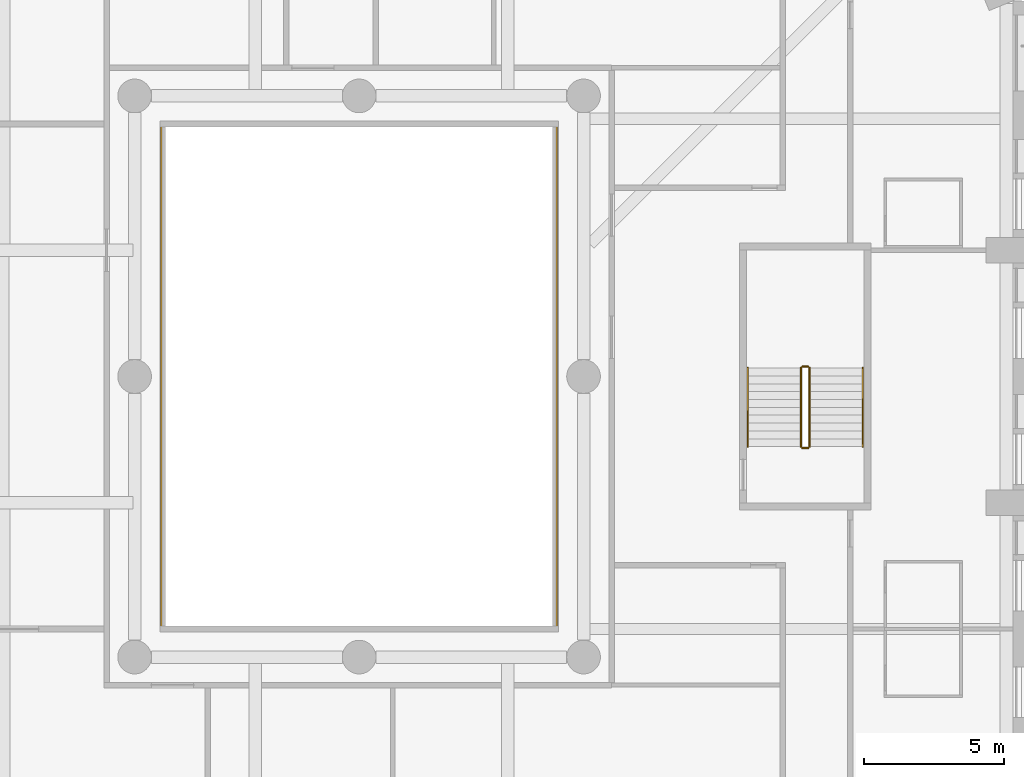
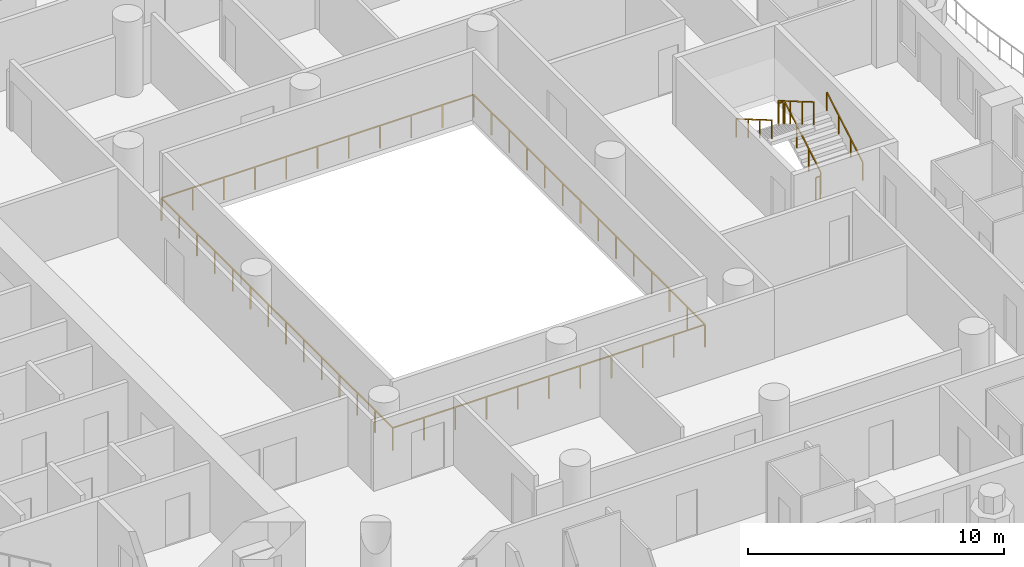
# One storey, part 19 of 24: 7 railings.
"""IFC4 building model written with IfcOpenShell, lengths in metres."""

from ifc_helpers import new_model, si_unit, direction, frame, origin, origin_2d, place, context, subcontext, project, spatial, rectangle, extrude, material, type_object, element, save


model = new_model("IFC4")

# Units and contexts
model_context = context("Model", 3, precision=1e-05, world=origin(), true_north=direction((0.0, 1.0)))
body_context = subcontext(model_context, "Body", "Model", "MODEL_VIEW")
ifc_project = project(units=[si_unit("LENGTHUNIT", "METRE"), si_unit("AREAUNIT", "SQUARE_METRE"), si_unit("VOLUMEUNIT", "CUBIC_METRE"), si_unit("PLANEANGLEUNIT", "RADIAN"), si_unit("MASSUNIT", "GRAM", prefix="KILO")], contexts=[model_context])

# Site, building, storey
site_placement = place(None, origin())
site = spatial("IfcSite", under=ifc_project, at=site_placement, CompositionType="ELEMENT")
building_placement = place(site_placement, origin())
building = spatial("IfcBuilding", under=site, at=building_placement, Name="Cypress Arch Tower", CompositionType="ELEMENT")
storey_placement = place(building_placement, frame((0.0, 0.0, 102.300048828125)))
storey = spatial("IfcBuildingStorey", under=building, at=storey_placement, Name="L20", CompositionType="ELEMENT", Elevation=102.300048828125)

# Railings
ifc_material_1 = material(Name="Stainless steel posts and handrail, laminated glass infill", Category="steel")
railing_type_1 = type_object("IfcRailingType", Name="Atrium guard GR1100A", PredefinedType="GUARDRAIL", material=ifc_material_1)
railing_1_placement = place(storey_placement, frame((8.050048828125, -9.050048828125, 0.0)))
element("IfcRailing", 1, at=railing_1_placement, inside=storey, type_object=railing_type_1, Name="Atrium guard L20", PredefinedType="GUARDRAIL", context=body_context, shape_type="SweptSolid", body=[
    extrude(rectangle(XDim=0.050048828125, YDim=0.050048828125, at=origin_2d()), frame((0.0, 0.0, 1.0751953125), z_axis=(-1.0, 0.0, 0.0), x_axis=(0.0, -1.0, 0.0)), (0.0, 0.0, 1.0), 14.10009765625),
    extrude(rectangle(XDim=0.050048828125, YDim=0.050048828125, at=origin_2d()), frame((-14.10009765625, 0.0, 1.0751953125), z_axis=(0.0, 1.0, 0.0), x_axis=(-1.0, 0.0, 0.0)), (0.0, 0.0, 1.0), 18.10009765625),
    extrude(rectangle(XDim=0.050048828125, YDim=0.050048828125, at=origin_2d()), frame((-14.10009765625, 18.10009765625, 1.0751953125), z_axis=(1.0, 0.0, 0.0), x_axis=(0.0, 1.0, 0.0)), (0.0, 0.0, 1.0), 14.10009765625),
    extrude(rectangle(XDim=0.050048828125, YDim=0.050048828125, at=origin_2d()), frame((0.0, 18.10009765625, 1.0751953125), z_axis=(0.0, -1.0, 0.0), x_axis=(1.0, 0.0, 0.0)), (0.0, 0.0, 1.0), 18.10009765625),
    extrude(rectangle(XDim=0.050048828125, YDim=0.050048828125, at=origin_2d()), origin(), (0.0, 0.0, 1.0), 1.050048828125),
    extrude(rectangle(XDim=0.050048828125, YDim=0.050048828125, at=origin_2d()), frame((-1.409912109375, 0.0, 0.0)), (0.0, 0.0, 1.0), 1.050048828125),
    extrude(rectangle(XDim=0.050048828125, YDim=0.050048828125, at=origin_2d()), frame((-2.820068359375, 0.0, 0.0)), (0.0, 0.0, 1.0), 1.050048828125),
    extrude(rectangle(XDim=0.050048828125, YDim=0.050048828125, at=origin_2d()), frame((-4.22998046875, 0.0, 0.0)), (0.0, 0.0, 1.0), 1.050048828125),
    extrude(rectangle(XDim=0.050048828125, YDim=0.050048828125, at=origin_2d()), frame((-5.64013671875, 0.0, 0.0)), (0.0, 0.0, 1.0), 1.050048828125),
    extrude(rectangle(XDim=0.050048828125, YDim=0.050048828125, at=origin_2d()), frame((-7.050048828125, 0.0, 0.0)), (0.0, 0.0, 1.0), 1.050048828125),
    extrude(rectangle(XDim=0.050048828125, YDim=0.050048828125, at=origin_2d()), frame((-8.4599609375, 0.0, 0.0)), (0.0, 0.0, 1.0), 1.050048828125),
    extrude(rectangle(XDim=0.050048828125, YDim=0.050048828125, at=origin_2d()), frame((-9.8701171875, 0.0, 0.0)), (0.0, 0.0, 1.0), 1.050048828125),
    extrude(rectangle(XDim=0.050048828125, YDim=0.050048828125, at=origin_2d()), frame((-11.280029296875, 0.0, 0.0)), (0.0, 0.0, 1.0), 1.050048828125),
    extrude(rectangle(XDim=0.050048828125, YDim=0.050048828125, at=origin_2d()), frame((-12.690185546875, 0.0, 0.0)), (0.0, 0.0, 1.0), 1.050048828125),
    extrude(rectangle(XDim=0.050048828125, YDim=0.050048828125, at=origin_2d()), frame((-14.10009765625, 0.0, 0.0)), (0.0, 0.0, 1.0), 1.050048828125),
    extrude(rectangle(XDim=0.050048828125, YDim=0.050048828125, at=origin_2d()), frame((-14.10009765625, 1.392333984375, 0.0)), (0.0, 0.0, 1.0), 1.050048828125),
    extrude(rectangle(XDim=0.050048828125, YDim=0.050048828125, at=origin_2d()), frame((-14.10009765625, 2.78466796875, 0.0)), (0.0, 0.0, 1.0), 1.050048828125),
    extrude(rectangle(XDim=0.050048828125, YDim=0.050048828125, at=origin_2d()), frame((-14.10009765625, 4.177001953125, 0.0)), (0.0, 0.0, 1.0), 1.050048828125),
    extrude(rectangle(XDim=0.050048828125, YDim=0.050048828125, at=origin_2d()), frame((-14.10009765625, 5.5693359375, 0.0)), (0.0, 0.0, 1.0), 1.050048828125),
    extrude(rectangle(XDim=0.050048828125, YDim=0.050048828125, at=origin_2d()), frame((-14.10009765625, 6.961669921875, 0.0)), (0.0, 0.0, 1.0), 1.050048828125),
    extrude(rectangle(XDim=0.050048828125, YDim=0.050048828125, at=origin_2d()), frame((-14.10009765625, 8.35400390625, 0.0)), (0.0, 0.0, 1.0), 1.050048828125),
    extrude(rectangle(XDim=0.050048828125, YDim=0.050048828125, at=origin_2d()), frame((-14.10009765625, 9.74609375, 0.0)), (0.0, 0.0, 1.0), 1.050048828125),
    extrude(rectangle(XDim=0.050048828125, YDim=0.050048828125, at=origin_2d()), frame((-14.10009765625, 11.138427734375, 0.0)), (0.0, 0.0, 1.0), 1.050048828125),
    extrude(rectangle(XDim=0.050048828125, YDim=0.050048828125, at=origin_2d()), frame((-14.10009765625, 12.53076171875, 0.0)), (0.0, 0.0, 1.0), 1.050048828125),
    extrude(rectangle(XDim=0.050048828125, YDim=0.050048828125, at=origin_2d()), frame((-14.10009765625, 13.923095703125, 0.0)), (0.0, 0.0, 1.0), 1.050048828125),
    extrude(rectangle(XDim=0.050048828125, YDim=0.050048828125, at=origin_2d()), frame((-14.10009765625, 15.3154296875, 0.0)), (0.0, 0.0, 1.0), 1.050048828125),
    extrude(rectangle(XDim=0.050048828125, YDim=0.050048828125, at=origin_2d()), frame((-14.10009765625, 16.707763671875, 0.0)), (0.0, 0.0, 1.0), 1.050048828125),
    extrude(rectangle(XDim=0.050048828125, YDim=0.050048828125, at=origin_2d()), frame((-14.10009765625, 18.10009765625, 0.0)), (0.0, 0.0, 1.0), 1.050048828125),
    extrude(rectangle(XDim=0.050048828125, YDim=0.050048828125, at=origin_2d()), frame((-12.690185546875, 18.10009765625, 0.0)), (0.0, 0.0, 1.0), 1.050048828125),
    extrude(rectangle(XDim=0.050048828125, YDim=0.050048828125, at=origin_2d()), frame((-11.280029296875, 18.10009765625, 0.0)), (0.0, 0.0, 1.0), 1.050048828125),
    extrude(rectangle(XDim=0.050048828125, YDim=0.050048828125, at=origin_2d()), frame((-9.8701171875, 18.10009765625, 0.0)), (0.0, 0.0, 1.0), 1.050048828125),
    extrude(rectangle(XDim=0.050048828125, YDim=0.050048828125, at=origin_2d()), frame((-8.4599609375, 18.10009765625, 0.0)), (0.0, 0.0, 1.0), 1.050048828125),
    extrude(rectangle(XDim=0.050048828125, YDim=0.050048828125, at=origin_2d()), frame((-7.050048828125, 18.10009765625, 0.0)), (0.0, 0.0, 1.0), 1.050048828125),
    extrude(rectangle(XDim=0.050048828125, YDim=0.050048828125, at=origin_2d()), frame((-5.64013671875, 18.10009765625, 0.0)), (0.0, 0.0, 1.0), 1.050048828125),
    extrude(rectangle(XDim=0.050048828125, YDim=0.050048828125, at=origin_2d()), frame((-4.22998046875, 18.10009765625, 0.0)), (0.0, 0.0, 1.0), 1.050048828125),
    extrude(rectangle(XDim=0.050048828125, YDim=0.050048828125, at=origin_2d()), frame((-2.820068359375, 18.10009765625, 0.0)), (0.0, 0.0, 1.0), 1.050048828125),
    extrude(rectangle(XDim=0.050048828125, YDim=0.050048828125, at=origin_2d()), frame((-1.409912109375, 18.10009765625, 0.0)), (0.0, 0.0, 1.0), 1.050048828125),
    extrude(rectangle(XDim=0.050048828125, YDim=0.050048828125, at=origin_2d()), frame((0.0, 18.10009765625, 0.0)), (0.0, 0.0, 1.0), 1.050048828125),
    extrude(rectangle(XDim=0.050048828125, YDim=0.050048828125, at=origin_2d()), frame((0.0, 16.707763671875, 0.0)), (0.0, 0.0, 1.0), 1.050048828125),
    extrude(rectangle(XDim=0.050048828125, YDim=0.050048828125, at=origin_2d()), frame((0.0, 15.3154296875, 0.0)), (0.0, 0.0, 1.0), 1.050048828125),
    extrude(rectangle(XDim=0.050048828125, YDim=0.050048828125, at=origin_2d()), frame((0.0, 13.923095703125, 0.0)), (0.0, 0.0, 1.0), 1.050048828125),
    extrude(rectangle(XDim=0.050048828125, YDim=0.050048828125, at=origin_2d()), frame((0.0, 12.53076171875, 0.0)), (0.0, 0.0, 1.0), 1.050048828125),
    extrude(rectangle(XDim=0.050048828125, YDim=0.050048828125, at=origin_2d()), frame((0.0, 11.138427734375, 0.0)), (0.0, 0.0, 1.0), 1.050048828125),
    extrude(rectangle(XDim=0.050048828125, YDim=0.050048828125, at=origin_2d()), frame((0.0, 9.74609375, 0.0)), (0.0, 0.0, 1.0), 1.050048828125),
    extrude(rectangle(XDim=0.050048828125, YDim=0.050048828125, at=origin_2d()), frame((0.0, 8.35400390625, 0.0)), (0.0, 0.0, 1.0), 1.050048828125),
    extrude(rectangle(XDim=0.050048828125, YDim=0.050048828125, at=origin_2d()), frame((0.0, 6.961669921875, 0.0)), (0.0, 0.0, 1.0), 1.050048828125),
    extrude(rectangle(XDim=0.050048828125, YDim=0.050048828125, at=origin_2d()), frame((0.0, 5.5693359375, 0.0)), (0.0, 0.0, 1.0), 1.050048828125),
    extrude(rectangle(XDim=0.050048828125, YDim=0.050048828125, at=origin_2d()), frame((0.0, 4.177001953125, 0.0)), (0.0, 0.0, 1.0), 1.050048828125),
    extrude(rectangle(XDim=0.050048828125, YDim=0.050048828125, at=origin_2d()), frame((0.0, 2.78466796875, 0.0)), (0.0, 0.0, 1.0), 1.050048828125),
    extrude(rectangle(XDim=0.050048828125, YDim=0.050048828125, at=origin_2d()), frame((0.0, 1.392333984375, 0.0)), (0.0, 0.0, 1.0), 1.050048828125),
])
ifc_material_2 = material(Name="Black powder-coated steel square bar 48 mm", Category="steel")
railing_type_2 = type_object("IfcRailingType", Name="Stair handrail HR1", PredefinedType="HANDRAIL", material=ifc_material_2)
railing_2_placement = place(storey_placement, frame((18.949951171875, -2.5, 0.16357421875)))
element("IfcRailing", 2, at=railing_2_placement, inside=storey, type_object=railing_type_2, Name="L20 C stair handrail 1", PredefinedType="HANDRAIL", context=body_context, shape_type="SweptSolid", body=[
    extrude(rectangle(XDim=0.048095703125, YDim=0.048095703125, at=origin_2d()), frame((0.0, 0.0, 0.8759765625), z_axis=(0.0, 0.863360870873, 0.504586966384), x_axis=(-1.0, 0.0, 0.0)), (0.0, 0.0, 1.0), 3.2431640625),
    extrude(rectangle(XDim=0.0419921875, YDim=0.0419921875, at=origin_2d()), origin(), (0.0, 0.0, 1.0), 0.851806640625),
    extrude(rectangle(XDim=0.0419921875, YDim=0.0419921875, at=origin_2d()), frame((0.0, 0.933349609375, 0.54541015625)), (0.0, 0.0, 1.0), 0.851806640625),
    extrude(rectangle(XDim=0.0419921875, YDim=0.0419921875, at=origin_2d()), frame((0.0, 1.86669921875, 1.091064453125)), (0.0, 0.0, 1.0), 0.851806640625),
    extrude(rectangle(XDim=0.0419921875, YDim=0.0419921875, at=origin_2d()), frame((0.0, 2.800048828125, 1.636474609375)), (0.0, 0.0, 1.0), 0.851806640625),
])
railing_3_placement = place(storey_placement, frame((14.85009765625, 0.300048828125, 1.963623046875)))
element("IfcRailing", 3, at=railing_3_placement, inside=storey, type_object=railing_type_2, Name="L20 C stair handrail 2", PredefinedType="HANDRAIL", context=body_context, shape_type="SweptSolid", body=[
    extrude(rectangle(XDim=0.048095703125, YDim=0.048095703125, at=origin_2d()), frame((0.0, 0.0, 0.8759765625), z_axis=(0.0, -0.863393664356, 0.504530851732), x_axis=(1.0, 0.0, 0.0)), (0.0, 0.0, 1.0), 3.2431640625),
    extrude(rectangle(XDim=0.0419921875, YDim=0.0419921875, at=origin_2d()), origin(), (0.0, 0.0, 1.0), 0.851806640625),
    extrude(rectangle(XDim=0.0419921875, YDim=0.0419921875, at=origin_2d()), frame((0.0, -0.933349609375, 0.54541015625)), (0.0, 0.0, 1.0), 0.851806640625),
    extrude(rectangle(XDim=0.0419921875, YDim=0.0419921875, at=origin_2d()), frame((0.0, -1.86669921875, 1.0908203125)), (0.0, 0.0, 1.0), 0.851806640625),
    extrude(rectangle(XDim=0.0419921875, YDim=0.0419921875, at=origin_2d()), frame((0.0, -2.800048828125, 1.63623046875)), (0.0, 0.0, 1.0), 0.851806640625),
])
ifc_material_3 = material(Name="Black powder-coated steel balusters", Category="steel")
railing_type_3 = type_object("IfcRailingType", Name="Stair well guard G1", PredefinedType="GUARDRAIL", material=ifc_material_3)
railing_4_placement = place(storey_placement, frame((17.050048828125, -2.5, 0.16357421875)))
element("IfcRailing", 4, at=railing_4_placement, inside=storey, type_object=railing_type_3, Name="L20 C stair guard 1", PredefinedType="GUARDRAIL", context=body_context, shape_type="SweptSolid", body=[
    extrude(rectangle(XDim=0.048095703125, YDim=0.048095703125, at=origin_2d()), frame((0.0, 0.0, 1.076171875), z_axis=(0.0, 0.863360870873, 0.504586966384), x_axis=(-1.0, 0.0, 0.0)), (0.0, 0.0, 1.0), 3.2431640625),
    extrude(rectangle(XDim=0.0419921875, YDim=0.0419921875, at=origin_2d()), origin(), (0.0, 0.0, 1.0), 1.052001953125),
    extrude(rectangle(XDim=0.0419921875, YDim=0.0419921875, at=origin_2d()), frame((0.0, 0.933349609375, 0.54541015625)), (0.0, 0.0, 1.0), 1.052001953125),
    extrude(rectangle(XDim=0.0419921875, YDim=0.0419921875, at=origin_2d()), frame((0.0, 1.86669921875, 1.091064453125)), (0.0, 0.0, 1.0), 1.052001953125),
    extrude(rectangle(XDim=0.0419921875, YDim=0.0419921875, at=origin_2d()), frame((0.0, 2.800048828125, 1.636474609375)), (0.0, 0.0, 1.0), 1.052001953125),
])
railing_5_placement = place(storey_placement, frame((17.0, 0.35009765625, 1.800048828125)))
element("IfcRailing", 5, at=railing_5_placement, inside=storey, type_object=railing_type_3, Name="L20 C stair guard 2", PredefinedType="GUARDRAIL", context=body_context, shape_type="SweptSolid", body=[
    extrude(rectangle(XDim=0.048095703125, YDim=0.048095703125, at=origin_2d()), frame((0.0, 0.0, 1.076171875), z_axis=(-1.0, 0.0, 0.0), x_axis=(0.0, -1.0, 0.0)), (0.0, 0.0, 1.0), 0.199951171875),
    extrude(rectangle(XDim=0.0419921875, YDim=0.0419921875, at=origin_2d()), origin(), (0.0, 0.0, 1.0), 1.052001953125),
    extrude(rectangle(XDim=0.0419921875, YDim=0.0419921875, at=origin_2d()), frame((-0.199951171875, 0.0, 0.0)), (0.0, 0.0, 1.0), 1.052001953125),
])
railing_6_placement = place(storey_placement, frame((16.75, 0.300048828125, 1.963623046875)))
element("IfcRailing", 6, at=railing_6_placement, inside=storey, type_object=railing_type_3, Name="L20 C stair guard 3", PredefinedType="GUARDRAIL", context=body_context, shape_type="SweptSolid", body=[
    extrude(rectangle(XDim=0.048095703125, YDim=0.048095703125, at=origin_2d()), frame((0.0, 0.0, 1.076171875), z_axis=(0.0, -0.863393664356, 0.504530851732), x_axis=(1.0, 0.0, 0.0)), (0.0, 0.0, 1.0), 3.2431640625),
    extrude(rectangle(XDim=0.0419921875, YDim=0.0419921875, at=origin_2d()), origin(), (0.0, 0.0, 1.0), 1.052001953125),
    extrude(rectangle(XDim=0.0419921875, YDim=0.0419921875, at=origin_2d()), frame((0.0, -0.933349609375, 0.54541015625)), (0.0, 0.0, 1.0), 1.052001953125),
    extrude(rectangle(XDim=0.0419921875, YDim=0.0419921875, at=origin_2d()), frame((0.0, -1.86669921875, 1.0908203125)), (0.0, 0.0, 1.0), 1.052001953125),
    extrude(rectangle(XDim=0.0419921875, YDim=0.0419921875, at=origin_2d()), frame((0.0, -2.800048828125, 1.63623046875)), (0.0, 0.0, 1.0), 1.052001953125),
])
railing_7_placement = place(storey_placement, frame((17.0, -2.550048828125, 0.0)))
element("IfcRailing", 7, at=railing_7_placement, inside=storey, type_object=railing_type_3, Name="L20 C stair guard 4", PredefinedType="GUARDRAIL", context=body_context, shape_type="SweptSolid", body=[
    extrude(rectangle(XDim=0.048095703125, YDim=0.048095703125, at=origin_2d()), frame((0.0, 0.0, 1.076171875), z_axis=(-1.0, 0.0, 0.0), x_axis=(0.0, -1.0, 0.0)), (0.0, 0.0, 1.0), 0.199951171875),
    extrude(rectangle(XDim=0.0419921875, YDim=0.0419921875, at=origin_2d()), origin(), (0.0, 0.0, 1.0), 1.052001953125),
    extrude(rectangle(XDim=0.0419921875, YDim=0.0419921875, at=origin_2d()), frame((-0.199951171875, 0.0, 0.0)), (0.0, 0.0, 1.0), 1.052001953125),
])

save(model, "model.ifc")
